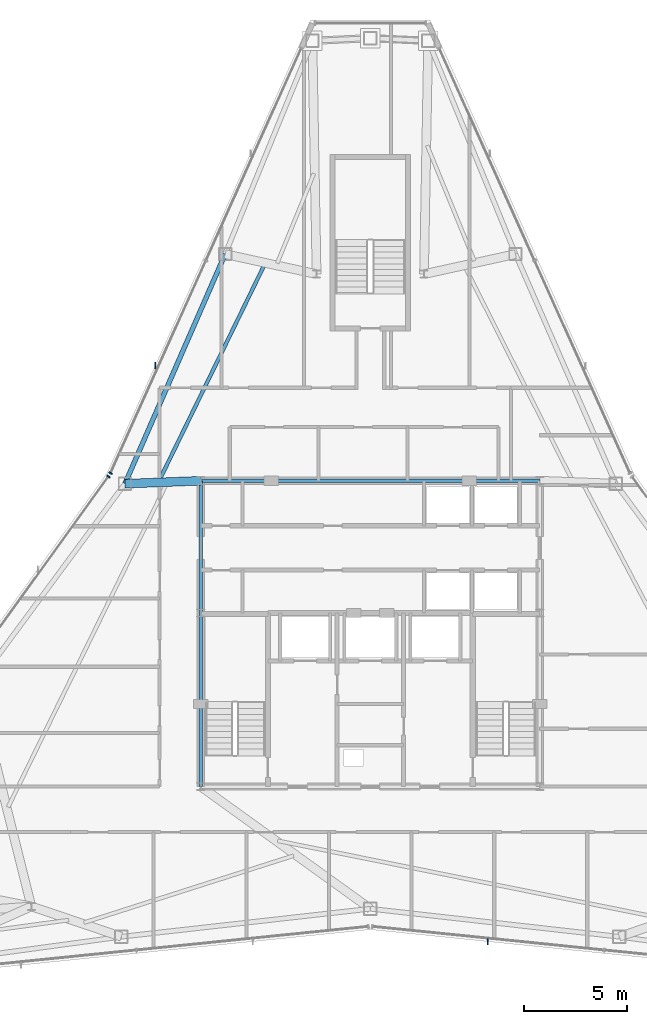
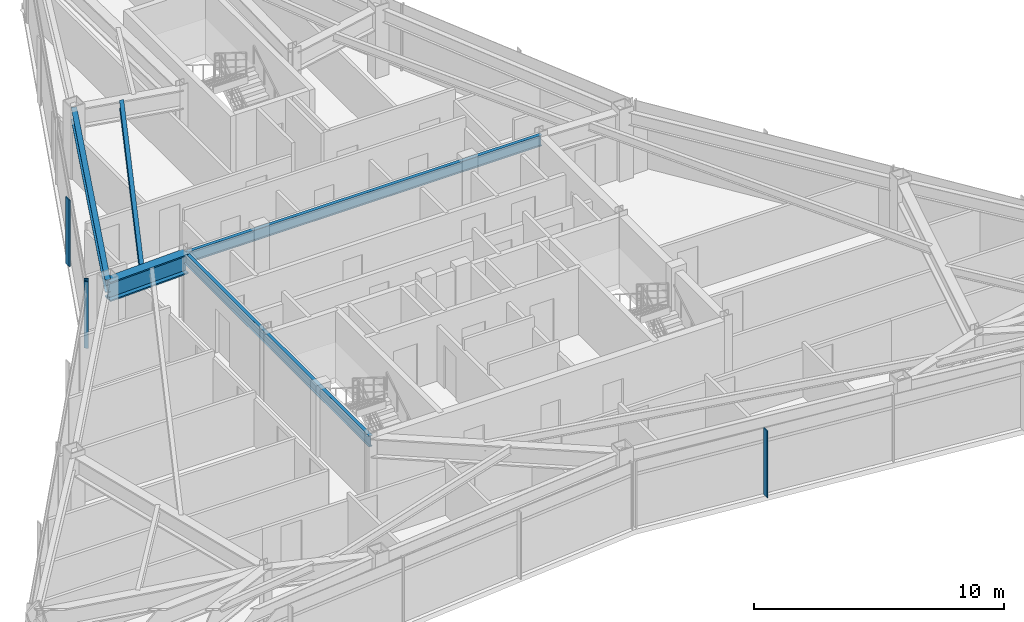
# One storey, part 5 of 12: 5 beams, 4 members, 3 elements without a shape of their own.
"""IFC4 building model written with IfcOpenShell, lengths in metres."""

from ifc_helpers import new_model, si_unit, direction, frame, origin, origin_2d, place, context, subcontext, project, spatial, rectangle, i_section, extrude, source, transform, mapped, material, layer, layer_set, material_profile, profile_set, type_object, type_shapes, element, aggregate, save


model = new_model("IFC4")

# Units and contexts
model_context = context("Model", 3, precision=1e-05, world=origin(), true_north=direction((0.0, 1.0)))
body_context = subcontext(model_context, "Body", "Model", "MODEL_VIEW")
ifc_project = project(units=[si_unit("LENGTHUNIT", "METRE"), si_unit("AREAUNIT", "SQUARE_METRE"), si_unit("VOLUMEUNIT", "CUBIC_METRE"), si_unit("PLANEANGLEUNIT", "RADIAN"), si_unit("MASSUNIT", "GRAM", prefix="KILO")], contexts=[model_context])

# Site, building, storey
site_placement = place(None, origin())
site = spatial("IfcSite", under=ifc_project, at=site_placement, CompositionType="ELEMENT")
building_placement = place(site_placement, origin())
building = spatial("IfcBuilding", under=site, at=building_placement, Name="Varakhsha Concourse Tower", CompositionType="ELEMENT")
storey_placement = place(building_placement, frame((0.0, 0.0, 255.0)))
storey = spatial("IfcBuildingStorey", under=building, at=storey_placement, Name="L72", CompositionType="ELEMENT", Elevation=255.0)

# Beams
ifc_material_1 = material(Name="Structural Steel ASTM A992 Grade 50", Category="steel")
ifc_material_profile_1 = material_profile(ifc_material_1, i_section(OverallWidth=0.177978515625, OverallDepth=0.406982421875, WebThickness=0.008056640625, FlangeThickness=0.012939453125, at=origin_2d()), Name="W16X40")
ifc_profile_set_1 = profile_set([ifc_material_profile_1], Name="Structural Steel ASTM A992 Grade 50")
beam_type_1 = type_object("IfcBeamType", Name="BM-JST-W16X40", PredefinedType="JOIST", material=ifc_profile_set_1)
beam_1_placement = place(storey_placement, frame((34.875, 41.643798828125, 3.04638671875), z_axis=(-0.438334888597, -0.898811729696, 0.0), x_axis=(0.898811729696, -0.438334888597, 0.0)))
element("IfcBeam", 1, at=beam_1_placement, inside=storey, type_object=beam_type_1, Name="BM-TJST-L72-04", PredefinedType="JOIST", context=body_context, shape_type="SweptSolid", body=[
    extrude(i_section(OverallWidth=0.177978515625, OverallDepth=0.406982421875, WebThickness=0.008056640625, FlangeThickness=0.012939453125, at=origin_2d()), origin(), (0.0, 0.0, 1.0), 11.599609375),
])
ifc_material_profile_2 = material_profile(ifc_material_1, i_section(OverallWidth=0.423095703125, OverallDepth=0.947998046875, WebThickness=0.0380859375, FlangeThickness=0.06396484375, at=origin_2d()), Name="W36X302")
ifc_profile_set_2 = profile_set([ifc_material_profile_2], Name="Structural Steel ASTM A992 Grade 50")
beam_type_2 = type_object("IfcBeamType", Name="BM-OUTR-W36X302", PredefinedType="USERDEFINED", material=ifc_profile_set_2)
beam_2_placement = place(storey_placement, frame((31.800048828125, 31.199951171875, 2.77587890625), z_axis=(-0.999229859365, -0.039238860258, 0.0), x_axis=(0.039238860258, -0.999229859365, 0.0)))
element("IfcBeam", 2, at=beam_2_placement, inside=storey, type_object=beam_type_2, Name="L72 Radial Floor Girder 05", ObjectType="GIRDER", PredefinedType="USERDEFINED", context=body_context, shape_type="SweptSolid", body=[
    extrude(i_section(OverallWidth=0.423095703125, OverallDepth=0.947998046875, WebThickness=0.0380859375, FlangeThickness=0.06396484375, at=origin_2d()), origin(), (0.0, 0.0, 1.0), 3.67724609375),
])
ifc_material_profile_3 = material_profile(ifc_material_1, i_section(OverallWidth=0.1669921875, OverallDepth=0.534912109375, WebThickness=0.010009765625, FlangeThickness=0.01708984375, at=origin_2d()), Name="W21X57")
ifc_profile_set_3 = profile_set([ifc_material_profile_3], Name="Structural Steel ASTM A992 Grade 50")
beam_type_3 = type_object("IfcBeamType", Name="BM-RAD-W21X57", PredefinedType="BEAM", material=ifc_profile_set_3)
beam_3_placement = place(storey_placement, frame((31.800048828125, 31.199951171875, 2.982421875), z_axis=(1.0, 0.0, 0.0), x_axis=(0.0, 1.0, 0.0)))
element("IfcBeam", 3, at=beam_3_placement, inside=storey, type_object=beam_type_3, Name="BM-TCORE-L72-CN", PredefinedType="BEAM", context=body_context, shape_type="SweptSolid", body=[
    extrude(i_section(OverallWidth=0.1669921875, OverallDepth=0.534912109375, WebThickness=0.010009765625, FlangeThickness=0.01708984375, at=origin_2d()), origin(), (0.0, 0.0, 1.0), 16.39990234375),
])
beam_4_placement = place(storey_placement, frame((31.800048828125, 16.39990234375, 2.982421875), z_axis=(0.0, 1.0, 0.0), x_axis=(-1.0, 0.0, 0.0)))
element("IfcBeam", 4, at=beam_4_placement, inside=storey, type_object=beam_type_3, Name="BM-TCORE-L72-CW", PredefinedType="BEAM", context=body_context, shape_type="SweptSolid", body=[
    extrude(i_section(OverallWidth=0.1669921875, OverallDepth=0.534912109375, WebThickness=0.010009765625, FlangeThickness=0.01708984375, at=origin_2d()), origin(), (0.0, 0.0, 1.0), 14.800048828125),
])
ifc_material_profile_4 = material_profile(ifc_material_1, i_section(OverallWidth=0.22900390625, OverallDepth=0.612060546875, WebThickness=0.011962890625, FlangeThickness=0.02001953125, at=origin_2d()), Name="W24X84")
ifc_profile_set_4 = profile_set([ifc_material_profile_4], Name="Structural Steel ASTM A992 Grade 50")
beam_type_4 = type_object("IfcBeamType", Name="BM-SPAN-W24X84", PredefinedType="SPANDREL", material=ifc_profile_set_4)
beam_5_placement = place(storey_placement, frame((32.977294921875, 42.168701171875, 2.944091796875), z_axis=(-0.400099437724, -0.916471734388, 0.0), x_axis=(0.916471734388, -0.400099437724, 0.0)))
element("IfcBeam", 5, at=beam_5_placement, inside=storey, type_object=beam_type_4, Name="BM-SPAN-L72-04", PredefinedType="SPANDREL", context=body_context, shape_type="SweptSolid", body=[
    extrude(i_section(OverallWidth=0.22900390625, OverallDepth=0.612060546875, WebThickness=0.011962890625, FlangeThickness=0.02001953125, at=origin_2d()), origin(), (0.0, 0.0, 1.0), 12.1259765625),
])

# Curtain wall, member
ifc_material_2 = material(Name="Anodised Bronze Architectural Aluminium AA 6063-T6", Category="aluminium")
ifc_layer = layer(ifc_material_2, 0.199951171875, Name="CW-SYS-05")
ifc_layer_set = layer_set([ifc_layer], Name="Anodised Bronze Architectural Aluminium AA 6063-T6")
curtain_wall_type = type_object("IfcCurtainWallType", Name="CW-SYS-05", PredefinedType="NOTDEFINED", material=ifc_layer_set)
curtain_wall_1_placement = place(storey_placement, origin())
curtain_wall_1 = element("IfcCurtainWall", 6, at=curtain_wall_1_placement, inside=storey, type_object=curtain_wall_type, Name="L72 Crystal Curtain Wall F2", PredefinedType="NOTDEFINED")
ifc_material_profile_5 = material_profile(ifc_material_2, rectangle(XDim=0.06494140625, YDim=0.179931640625, at=origin_2d()), Name="CWM-180X65")
ifc_profile_set_5 = profile_set([ifc_material_profile_5], Name="Anodised Bronze Architectural Aluminium AA 6063-T6")
member_type_1 = type_object("IfcMemberType", Name="CWM-180X65", PredefinedType="MULLION", material=ifc_profile_set_5)
shared_shape_1 = source(origin(), body_context, "Body", "SweptSolid", [
    extrude(rectangle(XDim=0.06494140625, YDim=0.179931640625, at=origin_2d()), origin(), (0.0, 0.0, 1.0), 3.25),
])
type_shapes(member_type_1, [shared_shape_1])
member_1_placement = place(storey_placement, frame((27.427978515625, 31.569091796875, 0.0), z_axis=(0.0, 0.0, 1.0), x_axis=(0.409661937266, 0.912237412714, 0.0)))
member_1 = element("IfcMember", 7, at=member_1_placement, type_object=member_type_1, Name="CW-L72-F2 Mullion 00", PredefinedType="MULLION", context=body_context, shape_type="MappedRepresentation", body=[
    mapped(shared_shape_1, transform((0.0, 0.0, 0.0), scale=1.0)),
])

curtain_wall_2_placement = place(storey_placement, origin())
curtain_wall_2 = element("IfcCurtainWall", 8, at=curtain_wall_2_placement, inside=storey, type_object=curtain_wall_type, Name="L72 Crystal Curtain Wall F3", PredefinedType="NOTDEFINED")
member_2_placement = place(storey_placement, frame((27.332275390625, 31.403076171875, 0.0), z_axis=(0.0, 0.0, 1.0), x_axis=(0.585188389778, 0.81089737234, 0.0)))
member_2 = element("IfcMember", 9, at=member_2_placement, type_object=member_type_1, Name="CW-L72-F3 Mullion 02", PredefinedType="MULLION", context=body_context, shape_type="MappedRepresentation", body=[
    mapped(shared_shape_1, transform((0.0, 0.0, 0.0), scale=1.0)),
])
aggregate(curtain_wall_2, [member_2])

# Member
ifc_material_profile_6 = material_profile(ifc_material_2, rectangle(XDim=0.054931640625, YDim=0.300048828125, at=origin_2d()), Name="FIN-BRZ-300")
ifc_profile_set_6 = profile_set([ifc_material_profile_6], Name="Anodised Bronze Architectural Aluminium AA 6063-T6")
member_type_2 = type_object("IfcMemberType", Name="FIN-BRZ-300", PredefinedType="USERDEFINED", material=ifc_profile_set_6)
shared_shape_2 = source(origin(), body_context, "Body", "SweptSolid", [
    extrude(rectangle(XDim=0.054931640625, YDim=0.300048828125, at=origin_2d()), origin(), (0.0, 0.0, 1.0), 3.25),
])
type_shapes(member_type_2, [shared_shape_2])
member_3_placement = place(storey_placement, frame((29.58642578125, 36.7783203125, 0.0), z_axis=(0.0, 0.0, 1.0), x_axis=(1.0, 0.0, 0.0)))
member_3 = element("IfcMember", 10, at=member_3_placement, type_object=member_type_2, Name="L72 Anodised Bronze Solar Fin F2-1", ObjectType="SOLAR FIN", PredefinedType="USERDEFINED", context=body_context, shape_type="MappedRepresentation", body=[
    mapped(shared_shape_2, transform((0.0, 0.0, 0.0), scale=1.0)),
])

aggregate(curtain_wall_1, [member_1, member_3])

# Curtain wall, member
curtain_wall_3_placement = place(storey_placement, origin())
curtain_wall_3 = element("IfcCurtainWall", 11, at=curtain_wall_3_placement, inside=storey, type_object=curtain_wall_type, Name="L72 Crystal Curtain Wall F6", PredefinedType="NOTDEFINED")
member_4_placement = place(storey_placement, frame((45.6865234375, 8.892578125, 0.0), z_axis=(0.0, 0.0, 1.0), x_axis=(1.0, 0.0, 0.0)))
member_4 = element("IfcMember", 12, at=member_4_placement, type_object=member_type_2, Name="L72 Anodised Bronze Solar Fin F6-2", ObjectType="SOLAR FIN", PredefinedType="USERDEFINED", context=body_context, shape_type="MappedRepresentation", body=[
    mapped(shared_shape_2, transform((0.0, 0.0, 0.0), scale=1.0)),
])
aggregate(curtain_wall_3, [member_4])

save(model, "model.ifc")
